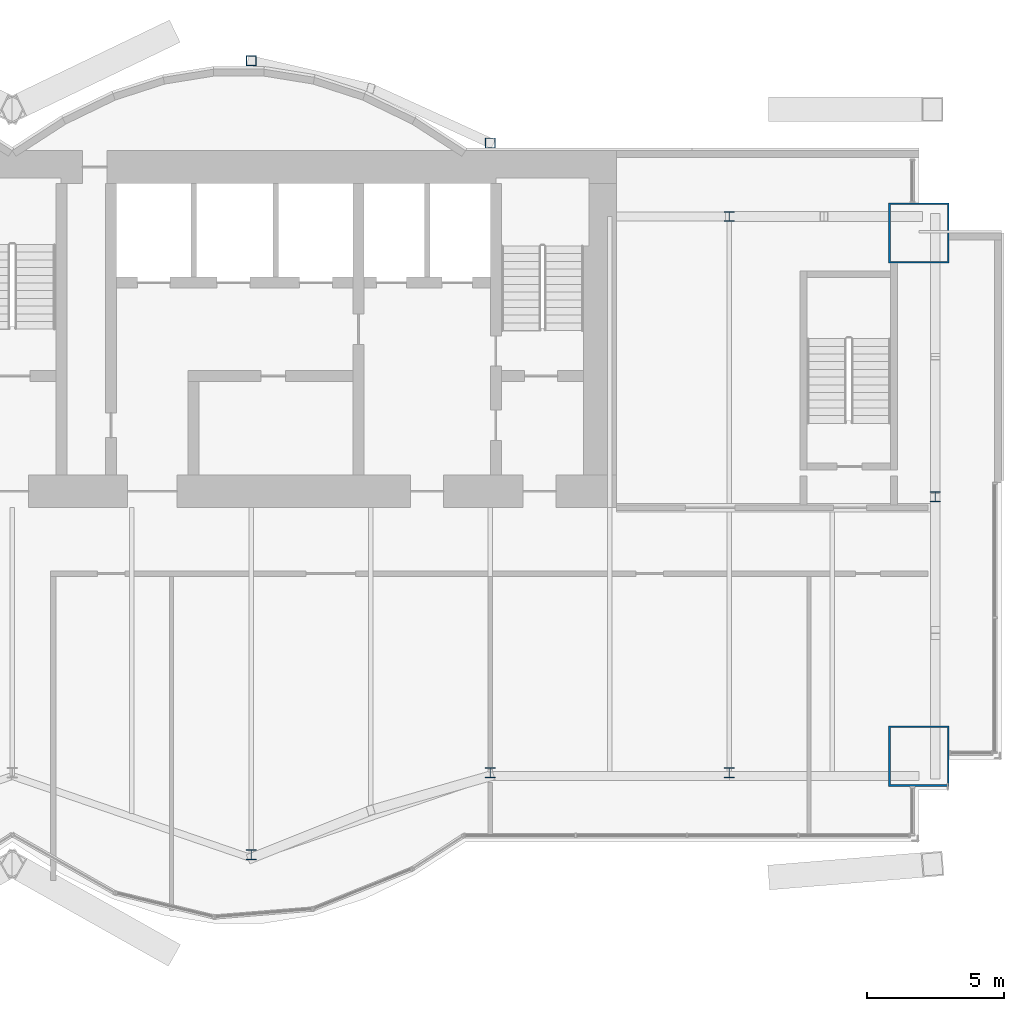
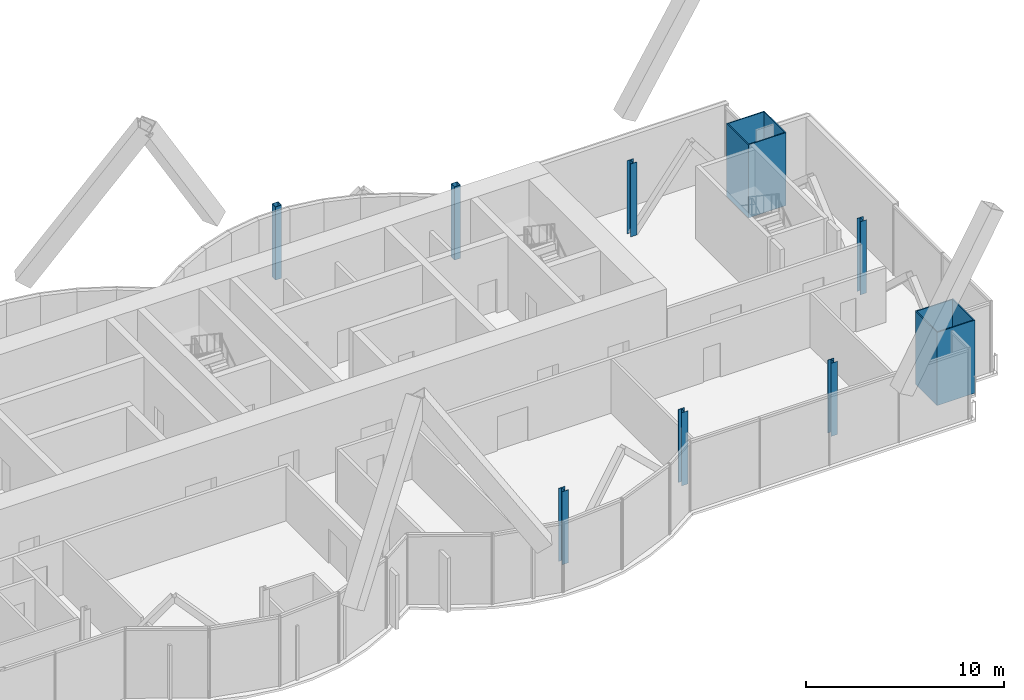
# One storey, part 2 of 17: 9 columns.
"""IFC4 building model written with IfcOpenShell, lengths in metres."""

import ifcopenshell
import ifcopenshell.guid

model = None  # the IFC model being written
_history = None  # IfcOwnerHistory: only IFC2X3 demands one
_inside = {}  # id of a spatial element -> (the spatial element, [elements in it])
_under = {}  # id of a project, library or spatial element -> (it, [spatial elements below it])
_declared = {}  # id of a project -> (the project, [libraries it declares])
_typed = {}  # id of a type object -> (the type object, [elements of that type])
_made_of = {}  # id of a material, layer set ... -> (it, [elements and type objects made of it])


def new_model(schema):
    """Start an empty IFC model of exactly this schema.

    Asked for "IFC4X3", IfcOpenShell would pick the latest addendum, in which some entities
    have other attributes; the version numbers below select the first issue.
    IFC2X3 requires an IfcOwnerHistory on every rooted entity: one is made here for all.
    """
    global model, _history
    if schema == "IFC4X3":
        model = ifcopenshell.file(schema_version=(4, 3, 0, 0))
    else:
        model = ifcopenshell.file(schema=schema)
    _inside.clear()
    _under.clear()
    _declared.clear()
    _typed.clear()
    _made_of.clear()
    _history = None
    if model.schema == "IFC2X3":
        org = make("IfcOrganization", Name="unknown")
        user = make(
            "IfcPersonAndOrganization",
            ThePerson=make("IfcPerson", FamilyName="unknown"),
            TheOrganization=org,
        )
        app = make(
            "IfcApplication",
            ApplicationDeveloper=org,
            Version="unknown",
            ApplicationFullName="unknown",
            ApplicationIdentifier="unknown",
        )
        _history = make(
            "IfcOwnerHistory",
            OwningUser=user,
            OwningApplication=app,
            ChangeAction="ADDED",
            CreationDate=0,
        )
    return model


def make(cls, **values):
    """One entity of the class cls with the attributes given. An attribute that is None is left unset."""
    return model.create_entity(
        cls, **{name: value for name, value in values.items() if value is not None}
    )


def rooted(cls, **values):
    """An entity with a GlobalId (a new one), such as an element, a storey or a relation."""
    return make(cls, GlobalId=ifcopenshell.guid.new(), OwnerHistory=_history, **values)


def si_unit(unit_type, name, prefix=None):
    """IfcSIUnit, for example si_unit("LENGTHUNIT", "METRE", prefix="MILLI")."""
    return make("IfcSIUnit", UnitType=unit_type, Prefix=prefix, Name=name)


def assignment(units):
    """IfcUnitAssignment: the units of a project."""
    return None if units is None else make("IfcUnitAssignment", Units=units)


def point(xyz):
    """IfcCartesianPoint."""
    return None if xyz is None else make("IfcCartesianPoint", Coordinates=xyz)


def direction(xyz):
    """IfcDirection."""
    return None if xyz is None else make("IfcDirection", DirectionRatios=xyz)


def frame(location, z_axis=None, x_axis=None):
    """IfcAxis2Placement3D, a coordinate frame: its origin and axes. An axis left out is left unset."""
    return make(
        "IfcAxis2Placement3D",
        Location=point(location),
        Axis=direction(z_axis),
        RefDirection=direction(x_axis),
    )


def frame_2d(location, x_axis=None):
    """IfcAxis2Placement2D, a coordinate frame in the plane: its origin and x axis."""
    return make(
        "IfcAxis2Placement2D", Location=point(location), RefDirection=direction(x_axis)
    )


def origin():
    """The frame at (0, 0, 0) with its axes left unset."""
    return frame((0.0, 0.0, 0.0))


def origin_2d():
    """The frame at (0, 0) in the plane with its x axis left unset."""
    return frame_2d((0.0, 0.0))


def place(relative_to, where):
    """IfcLocalPlacement: puts the frame where relative to a parent placement (None: the world)."""
    return make(
        "IfcLocalPlacement", PlacementRelTo=relative_to, RelativePlacement=where
    )


def context(
    kind, dimensions, precision=None, world=None, true_north=None, identifier=None
):
    """IfcGeometricRepresentationContext, for example the 3D "Model" context."""
    return make(
        "IfcGeometricRepresentationContext",
        ContextIdentifier=identifier,
        ContextType=kind,
        CoordinateSpaceDimension=dimensions,
        Precision=precision,
        WorldCoordinateSystem=world,
        TrueNorth=true_north,
    )


def subcontext(parent, identifier, kind, view, scale=None):
    """IfcGeometricRepresentationSubContext, for example "Body" below "Model"."""
    return make(
        "IfcGeometricRepresentationSubContext",
        ContextIdentifier=identifier,
        ContextType=kind,
        ParentContext=parent,
        TargetScale=scale,
        TargetView=view,
    )


def project(units=None, contexts=None):
    """IfcProject with its units and contexts."""
    return rooted(
        "IfcProject",
        Name="project",
        RepresentationContexts=contexts,
        UnitsInContext=assignment(units),
    )


def spatial(cls, under=None, at=None, **own):
    """A site, building, storey or space (cls), placed at a placement, below another one or the project."""
    s = rooted(cls, ObjectPlacement=at, **own)
    if under is not None:
        _under.setdefault(under.id(), (under, []))[1].append(s)
    return s


def profile(cls, at=None, kind="AREA", **sizes):
    """A parametric profile (cls). Its sizes go by their IFC names, for example OverallWidth=200.0."""
    return make(cls, ProfileType=kind, Position=at, **sizes)


def hollow_rectangle(**sizes):
    """IfcRectangleHollowProfileDef."""
    return profile("IfcRectangleHollowProfileDef", **sizes)


def i_section(**sizes):
    """IfcIShapeProfileDef."""
    return profile("IfcIShapeProfileDef", **sizes)


def extrude(swept, where, along, depth):
    """IfcExtrudedAreaSolid: the profile swept, set in the frame where, extruded along a direction by depth."""
    return make(
        "IfcExtrudedAreaSolid",
        SweptArea=swept,
        Position=where,
        ExtrudedDirection=direction(along),
        Depth=depth,
    )


def shape(context_of_items, identifier, shape_type, items):
    """IfcShapeRepresentation: the items that make up one representation, for example the "Body"."""
    return make(
        "IfcShapeRepresentation",
        ContextOfItems=context_of_items,
        RepresentationIdentifier=identifier,
        RepresentationType=shape_type,
        Items=items,
    )


def material(Name=None, Category=None):
    """IfcMaterial."""
    return make("IfcMaterial", Name=Name, Category=Category)


def material_profile(
    of_material, cross_section, Name=None, Category=None, Priority=None
):
    """IfcMaterialProfile: a cross section and its material."""
    return make(
        "IfcMaterialProfile",
        Name=Name,
        Material=of_material,
        Profile=cross_section,
        Priority=Priority,
        Category=Category,
    )


def profile_set(profiles, Name=None, composite=None):
    """IfcMaterialProfileSet."""
    return make(
        "IfcMaterialProfileSet",
        Name=Name,
        MaterialProfiles=profiles,
        CompositeProfile=composite,
    )


def made_of(thing, what):
    """Note that an element or type object is made of a material, layer set ...; save() writes the relation."""
    if what is not None:
        _made_of.setdefault(what.id(), (what, []))[1].append(thing)
    return thing


def type_object(cls, material=None, **own):
    """A type object (cls), such as IfcWallType, which elements share."""
    return made_of(rooted(cls, **own), material)


def element(
    cls,
    number,
    at=None,
    inside=None,
    cuts=None,
    type_object=None,
    material=None,
    context=None,
    identifier="Body",
    shape_type=None,
    held_by="IfcProductDefinitionShape",
    body=None,
    shapes=None,
    **own,
):
    """One element of the class cls, such as IfcWall. Its Tag is "e" and its number.

    at: its placement. inside: the storey or other place that contains it. cuts: it is an
    opening in that element (IfcRelVoidsElement). A single representation is given by context,
    identifier, shape_type and body (its items); several are given by shapes. held_by: the class
    of the entity that holds the representations. save() writes the other relations.
    """
    e = rooted(cls, Tag="e%d" % number, ObjectPlacement=at, **own)
    if body is not None:
        shapes = [shape(context, identifier, shape_type, body)]
    if shapes is not None:
        e.Representation = make(held_by, Representations=shapes)
    if inside is not None:
        _inside.setdefault(inside.id(), (inside, []))[1].append(e)
    if cuts is not None:
        rooted(
            "IfcRelVoidsElement", RelatingBuildingElement=cuts, RelatedOpeningElement=e
        )
    if type_object is not None:
        _typed.setdefault(type_object.id(), (type_object, []))[1].append(e)
    return made_of(e, material)


def aggregate(whole, parts):
    """IfcRelAggregates: a whole, such as a stair, and the parts it consists of."""
    return rooted("IfcRelAggregates", RelatingObject=whole, RelatedObjects=parts)


def save(model, path):
    """Write the relations noted so far, then the file.

    IfcRelAggregates (storeys below a building ...), IfcRelContainedInSpatialStructure (elements
    in a storey), IfcRelDefinesByType, IfcRelAssociatesMaterial and IfcRelDeclares: one each for
    every whole, place, type object, material and project.
    """
    for whole, parts in _under.values():
        aggregate(whole, parts)
    for where, things in _inside.values():
        rooted(
            "IfcRelContainedInSpatialStructure",
            RelatedElements=things,
            RelatingStructure=where,
        )
    for kind, things in _typed.values():
        rooted("IfcRelDefinesByType", RelatedObjects=things, RelatingType=kind)
    for what, things in _made_of.values():
        rooted("IfcRelAssociatesMaterial", RelatedObjects=things, RelatingMaterial=what)
    for by, libraries in _declared.values():
        rooted("IfcRelDeclares", RelatingContext=by, RelatedDefinitions=libraries)
    model.write(path)


model = new_model("IFC4")

# Units and contexts
model_context = context("Model", 3, precision=1e-05, world=origin(), true_north=direction((0.0, 1.0)))
body_context = subcontext(model_context, "Body", "Model", "MODEL_VIEW")
ifc_project = project(units=[si_unit("LENGTHUNIT", "METRE"), si_unit("AREAUNIT", "SQUARE_METRE"), si_unit("VOLUMEUNIT", "CUBIC_METRE"), si_unit("PLANEANGLEUNIT", "RADIAN"), si_unit("MASSUNIT", "GRAM", prefix="KILO")], contexts=[model_context])

# Site, building, storey
site_placement = place(None, origin())
site = spatial("IfcSite", under=ifc_project, at=site_placement, CompositionType="ELEMENT")
building_placement = place(site_placement, origin())
building = spatial("IfcBuilding", under=site, at=building_placement, Name="Bicima Exchange Tower", CompositionType="ELEMENT")
storey_placement = place(building_placement, frame((0.0, 0.0, 333.5)))
storey = spatial("IfcBuildingStorey", under=building, at=storey_placement, Name="L75", CompositionType="ELEMENT", Elevation=333.5)

# Columns
ifc_material_1 = material(Name="Steel ASTM A572 Gr 50", Category="steel")
ifc_material_profile_1 = material_profile(ifc_material_1, hollow_rectangle(XDim=2.199951171875, YDim=2.199951171875, WallThickness=0.06005859375, at=origin_2d()))
ifc_profile_set_1 = profile_set([ifc_material_profile_1], Name="Steel ASTM A572 Gr 50")
column_type_1 = type_object("IfcColumnType", Name="Mega column BOX 2200x2200x60", PredefinedType="COLUMN", material=ifc_profile_set_1)
for number, where, z_axis, x_axis, name in (
    (1, (33.0, -22.0419921875, 0.0), (0.0, 0.0, 1.0), (1.0, 0.0, 0.0), "Mega column mega+33.0f"),
    (2, (33.0, -3.0, 0.0), (0.0, 0.0, 1.0), (1.0, 0.0, 0.0), "Mega column mega+33.0r"),
):
    element("IfcColumn", number, at=place(storey_placement, frame(where, z_axis=z_axis, x_axis=x_axis)), inside=storey, type_object=column_type_1, Name=name, PredefinedType="COLUMN", context=body_context, shape_type="SweptSolid", body=[
        extrude(hollow_rectangle(XDim=2.199951171875, YDim=2.199951171875, WallThickness=0.06005859375, at=origin_2d()), origin(), (0.0, 0.0, 1.0), 4.5),
    ])
ifc_material_2 = material(Name="Steel ASTM A992 Gr 50", Category="steel")
ifc_material_profile_2 = material_profile(ifc_material_2, i_section(OverallWidth=0.368408203125, OverallDepth=0.355712890625, WebThickness=0.01123046875, FlangeThickness=0.01806640625, at=origin_2d()))
ifc_profile_set_2 = profile_set([ifc_material_profile_2], Name="Steel ASTM A992 Gr 50")
column_type_2 = type_object("IfcColumnType", Name="Perimeter column W14x90", PredefinedType="COLUMN", material=ifc_profile_set_2)
for number, where, z_axis, x_axis, name in (
    (3, (8.699951171875, -25.633056640625, 0.0), (0.0, 0.0, 1.0), (1.0, 0.0, 0.0), "Perimeter column grav+8.7f"),
    (4, (17.39990234375, -22.64208984375, 0.0), (0.0, 0.0, 1.0), (1.0, 0.0, 0.0), "Perimeter column grav+17.4f"),
    (5, (26.10009765625, -22.64208984375, 0.0), (0.0, 0.0, 1.0), (1.0, 0.0, 0.0), "Perimeter column grav+26.1f"),
    (6, (26.10009765625, -2.39990234375, 0.0), (0.0, 0.0, 1.0), (1.0, 0.0, 0.0), "Perimeter column grav+26.1r"),
    (7, (33.60009765625, -12.60009765625, 0.0), (0.0, 0.0, 1.0), (1.0, 0.0, 0.0), "End column end+33.6e"),
):
    element("IfcColumn", number, at=place(storey_placement, frame(where, z_axis=z_axis, x_axis=x_axis)), inside=storey, type_object=column_type_2, Name=name, PredefinedType="COLUMN", context=body_context, shape_type="SweptSolid", body=[
        extrude(i_section(OverallWidth=0.368408203125, OverallDepth=0.355712890625, WebThickness=0.01123046875, FlangeThickness=0.01806640625, at=origin_2d()), origin(), (0.0, 0.0, 1.0), 4.5),
    ])
ifc_material_profile_3 = material_profile(ifc_material_1, hollow_rectangle(XDim=0.355712890625, YDim=0.355712890625, WallThickness=0.01171875, at=origin_2d()))
ifc_profile_set_3 = profile_set([ifc_material_profile_3], Name="Steel ASTM A572 Gr 50")
column_type_3 = type_object("IfcColumnType", Name="Rear pilaster HSS14x14x1/2", PredefinedType="COLUMN", material=ifc_profile_set_3)
for number, where, z_axis, x_axis, name in (
    (8, (8.699951171875, 3.26904296875, 0.0), (0.0, 0.0, 1.0), (1.0, 0.0, 0.0), "Rear pilaster rexo+8.7r"),
    (9, (17.39990234375, 0.278076171875, 0.0), (0.0, 0.0, 1.0), (1.0, 0.0, 0.0), "Rear pilaster rexo+17.4r"),
):
    element("IfcColumn", number, at=place(storey_placement, frame(where, z_axis=z_axis, x_axis=x_axis)), inside=storey, type_object=column_type_3, Name=name, PredefinedType="COLUMN", context=body_context, shape_type="SweptSolid", body=[
        extrude(hollow_rectangle(XDim=0.355712890625, YDim=0.355712890625, WallThickness=0.01171875, at=origin_2d()), origin(), (0.0, 0.0, 1.0), 4.5),
    ])

save(model, "model.ifc")
